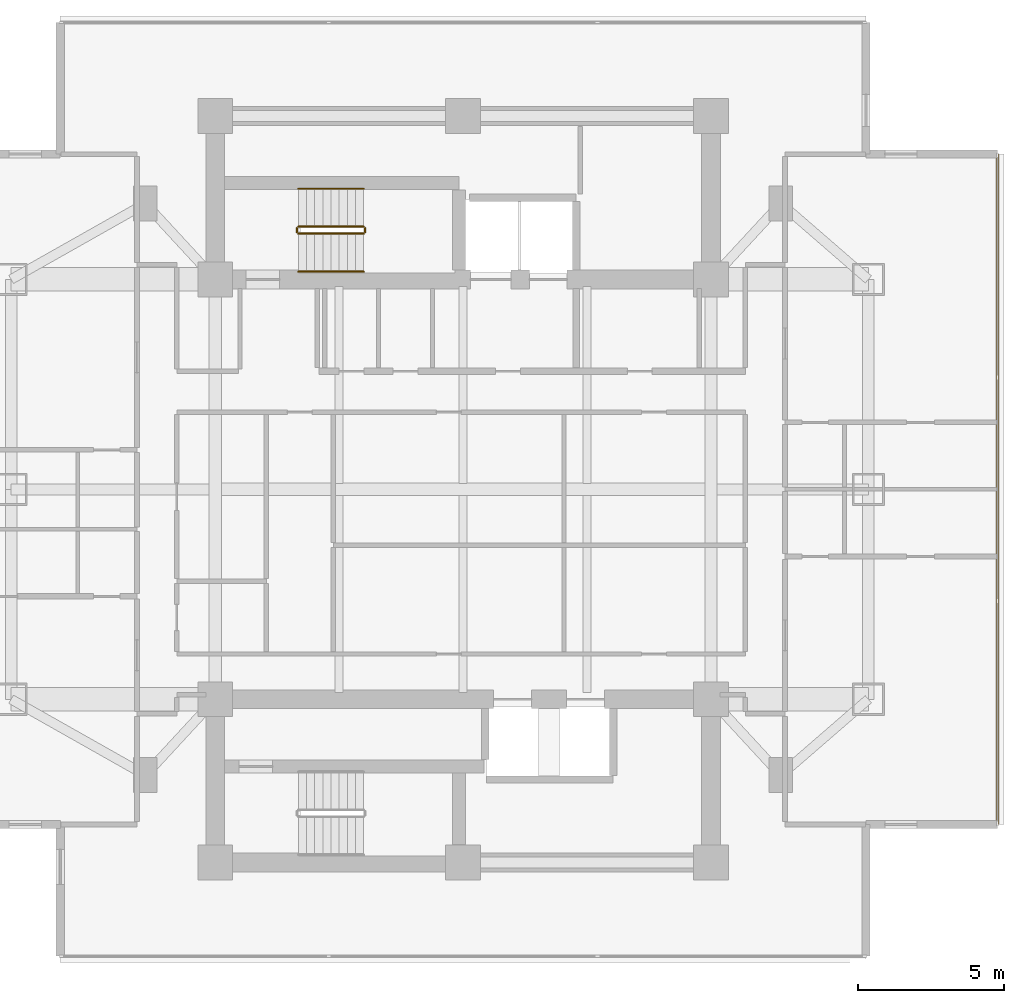
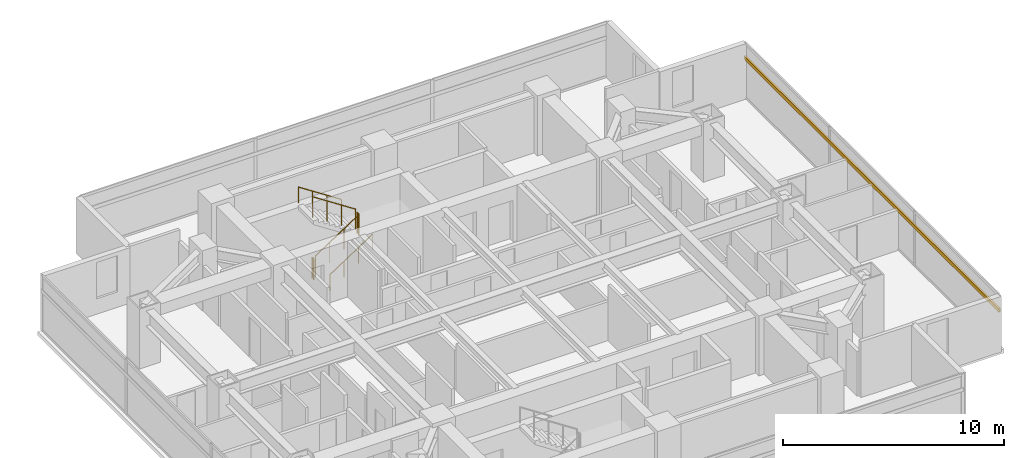
# One storey, part 24 of 25: 6 railings, 1 shading device.
"""IFC4 building model written with IfcOpenShell, lengths in metres."""

from ifc_helpers import new_model, si_unit, direction, frame, origin, origin_2d, place, context, subcontext, project, spatial, rectangle, circle, extrude, material, material_profile, profile_set, type_object, element, save


model = new_model("IFC4")

# Units and contexts
model_context = context("Model", 3, precision=1e-05, world=origin(), true_north=direction((0.0, 1.0)))
body_context = subcontext(model_context, "Body", "Model", "MODEL_VIEW")
ifc_project = project(units=[si_unit("LENGTHUNIT", "METRE"), si_unit("AREAUNIT", "SQUARE_METRE"), si_unit("VOLUMEUNIT", "CUBIC_METRE"), si_unit("PLANEANGLEUNIT", "RADIAN"), si_unit("MASSUNIT", "GRAM", prefix="KILO")], contexts=[model_context])

# Site, building, storey
site_placement = place(None, origin())
site = spatial("IfcSite", under=ifc_project, at=site_placement, CompositionType="ELEMENT")
building_placement = place(site_placement, origin())
building = spatial("IfcBuilding", under=site, at=building_placement, Name="Mirazonda Arch Towers", CompositionType="ELEMENT")
storey_placement = place(building_placement, frame((0.0, 0.0, 104.89990234375)))
storey = spatial("IfcBuildingStorey", under=building, at=storey_placement, Name="L29", CompositionType="ELEMENT", Elevation=104.89990234375)

# Shading device
ifc_material_1 = material(Name="Kiln-Fired Architectural Terracotta", Category="masonry")
ifc_material_profile = material_profile(ifc_material_1, rectangle(XDim=0.10009765625, YDim=0.199951171875, at=origin_2d()), Name="TERRA-BAG-100x200")
ifc_profile_set = profile_set([ifc_material_profile], Name="Kiln-Fired Architectural Terracotta")
shading_device_type = type_object("IfcShadingDeviceType", Name="BAGUETTE-2", PredefinedType="USERDEFINED", material=ifc_profile_set)
shading_device_placement = place(storey_placement, frame((94.83251953125, 16.502197265625, 2.203369140625), z_axis=(0.0, 1.0, 0.0), x_axis=(-1.0, 0.0, 0.0)))
element("IfcShadingDevice", 1, at=shading_device_placement, inside=storey, type_object=shading_device_type, Name="L29 Glazed Terracotta Sun-Screen Baguette CW-L29-T2-E", ObjectType="BAGUETTE", PredefinedType="USERDEFINED", context=body_context, shape_type="SweptSolid", body=[
    extrude(rectangle(XDim=0.10009765625, YDim=0.199951171875, at=origin_2d()), origin(), (0.0, 0.0, 1.0), 22.99560546875),
])

# Railings
ifc_material_2 = material(Name="Architectural Brushed Steel S355", Category="steel")
railing_type_1 = type_object("IfcRailingType", Name="GUARD-STAIR-1120", PredefinedType="GUARDRAIL", material=ifc_material_2)
railing_1_placement = place(storey_placement, frame((70.85009765625, 36.77001953125, 0.183349609375)))
element("IfcRailing", 2, at=railing_1_placement, inside=storey, type_object=railing_type_1, Name="L29 ST-T2N stair guard 1", PredefinedType="GUARDRAIL", context=body_context, shape_type="SweptSolid", body=[
    extrude(circle(Radius=0.02392578125, at=origin_2d()), frame((0.0, 0.0, 1.1259765625), z_axis=(0.836595146698, 0.0, 0.547821650285), x_axis=(0.0, 1.0, 0.0)), (0.0, 0.0, 1.0), 2.677490234375),
    extrude(circle(Radius=0.02099609375, at=origin_2d()), origin(), (0.0, 0.0, 1.0), 1.101806640625),
    extrude(circle(Radius=0.02099609375, at=origin_2d()), frame((0.74658203125, 0.0, 0.489013671875)), (0.0, 0.0, 1.0), 1.101806640625),
    extrude(circle(Radius=0.02099609375, at=origin_2d()), frame((1.493408203125, 0.0, 0.977783203125)), (0.0, 0.0, 1.0), 1.101806640625),
    extrude(circle(Radius=0.02099609375, at=origin_2d()), frame((2.239990234375, 0.0, 1.466796875)), (0.0, 0.0, 1.0), 1.101806640625),
])
railing_2_placement = place(storey_placement, frame((73.139892578125, 36.820068359375, 1.650146484375)))
element("IfcRailing", 3, at=railing_2_placement, inside=storey, type_object=railing_type_1, Name="L29 ST-T2N stair guard 2", PredefinedType="GUARDRAIL", context=body_context, shape_type="SweptSolid", body=[
    extrude(circle(Radius=0.02392578125, at=origin_2d()), frame((0.0, 0.0, 1.1259765625), z_axis=(0.0, 1.0, 0.0), x_axis=(-1.0, 0.0, 0.0)), (0.0, 0.0, 1.0), 0.139892578125),
    extrude(circle(Radius=0.02099609375, at=origin_2d()), origin(), (0.0, 0.0, 1.0), 1.101806640625),
    extrude(circle(Radius=0.02099609375, at=origin_2d()), frame((0.0, 0.139892578125, 0.0)), (0.0, 0.0, 1.0), 1.101806640625),
])
railing_3_placement = place(storey_placement, frame((73.090087890625, 37.010009765625, 1.83349609375)))
element("IfcRailing", 4, at=railing_3_placement, inside=storey, type_object=railing_type_1, Name="L29 ST-T2N stair guard 3", PredefinedType="GUARDRAIL", context=body_context, shape_type="SweptSolid", body=[
    extrude(circle(Radius=0.02392578125, at=origin_2d()), frame((0.0, 0.0, 1.1259765625), z_axis=(-0.836636935527, 0.0, 0.547757827979), x_axis=(0.0, -1.0, 0.0)), (0.0, 0.0, 1.0), 2.677490234375),
    extrude(circle(Radius=0.02099609375, at=origin_2d()), origin(), (0.0, 0.0, 1.0), 1.101806640625),
    extrude(circle(Radius=0.02099609375, at=origin_2d()), frame((-0.74658203125, 0.0, 0.48876953125)), (0.0, 0.0, 1.0), 1.101806640625),
    extrude(circle(Radius=0.02099609375, at=origin_2d()), frame((-1.493408203125, 0.0, 0.977783203125)), (0.0, 0.0, 1.0), 1.101806640625),
    extrude(circle(Radius=0.02099609375, at=origin_2d()), frame((-2.239990234375, 0.0, 1.466552734375)), (0.0, 0.0, 1.0), 1.101806640625),
])
railing_4_placement = place(storey_placement, frame((70.800048828125, 36.820068359375, 0.0)))
element("IfcRailing", 5, at=railing_4_placement, inside=storey, type_object=railing_type_1, Name="L29 ST-T2N stair guard 4", PredefinedType="GUARDRAIL", context=body_context, shape_type="SweptSolid", body=[
    extrude(circle(Radius=0.02392578125, at=origin_2d()), frame((0.0, 0.0, 1.1259765625), z_axis=(0.0, 1.0, 0.0), x_axis=(-1.0, 0.0, 0.0)), (0.0, 0.0, 1.0), 0.139892578125),
    extrude(circle(Radius=0.02099609375, at=origin_2d()), origin(), (0.0, 0.0, 1.0), 1.101806640625),
    extrude(circle(Radius=0.02099609375, at=origin_2d()), frame((0.0, 0.139892578125, 0.0)), (0.0, 0.0, 1.0), 1.101806640625),
])
railing_type_2 = type_object("IfcRailingType", Name="HANDRAIL-915", PredefinedType="HANDRAIL", material=ifc_material_2)
railing_5_placement = place(storey_placement, frame((70.85009765625, 35.469970703125, 0.183349609375)))
element("IfcRailing", 6, at=railing_5_placement, inside=storey, type_object=railing_type_2, Name="L29 ST-T2N stair handrail 1", PredefinedType="HANDRAIL", context=body_context, shape_type="SweptSolid", body=[
    extrude(circle(Radius=0.02392578125, at=origin_2d()), frame((0.0, 0.0, 0.8759765625), z_axis=(0.836595146698, 0.0, 0.547821650285), x_axis=(0.0, 1.0, 0.0)), (0.0, 0.0, 1.0), 2.677490234375),
    extrude(circle(Radius=0.02099609375, at=origin_2d()), origin(), (0.0, 0.0, 1.0), 0.851806640625),
    extrude(circle(Radius=0.02099609375, at=origin_2d()), frame((0.74658203125, 0.0, 0.489013671875)), (0.0, 0.0, 1.0), 0.851806640625),
    extrude(circle(Radius=0.02099609375, at=origin_2d()), frame((1.493408203125, 0.0, 0.977783203125)), (0.0, 0.0, 1.0), 0.851806640625),
    extrude(circle(Radius=0.02099609375, at=origin_2d()), frame((2.239990234375, 0.0, 1.466796875)), (0.0, 0.0, 1.0), 0.851806640625),
])
railing_6_placement = place(storey_placement, frame((73.090087890625, 38.31005859375, 1.83349609375)))
element("IfcRailing", 7, at=railing_6_placement, inside=storey, type_object=railing_type_2, Name="L29 ST-T2N stair handrail 2", PredefinedType="HANDRAIL", context=body_context, shape_type="SweptSolid", body=[
    extrude(circle(Radius=0.02392578125, at=origin_2d()), frame((0.0, 0.0, 0.8759765625), z_axis=(-0.836636935527, 0.0, 0.547757827979), x_axis=(0.0, -1.0, 0.0)), (0.0, 0.0, 1.0), 2.677490234375),
    extrude(circle(Radius=0.02099609375, at=origin_2d()), origin(), (0.0, 0.0, 1.0), 0.851806640625),
    extrude(circle(Radius=0.02099609375, at=origin_2d()), frame((-0.74658203125, 0.0, 0.48876953125)), (0.0, 0.0, 1.0), 0.851806640625),
    extrude(circle(Radius=0.02099609375, at=origin_2d()), frame((-1.493408203125, 0.0, 0.977783203125)), (0.0, 0.0, 1.0), 0.851806640625),
    extrude(circle(Radius=0.02099609375, at=origin_2d()), frame((-2.239990234375, 0.0, 1.466552734375)), (0.0, 0.0, 1.0), 0.851806640625),
])

save(model, "model.ifc")
